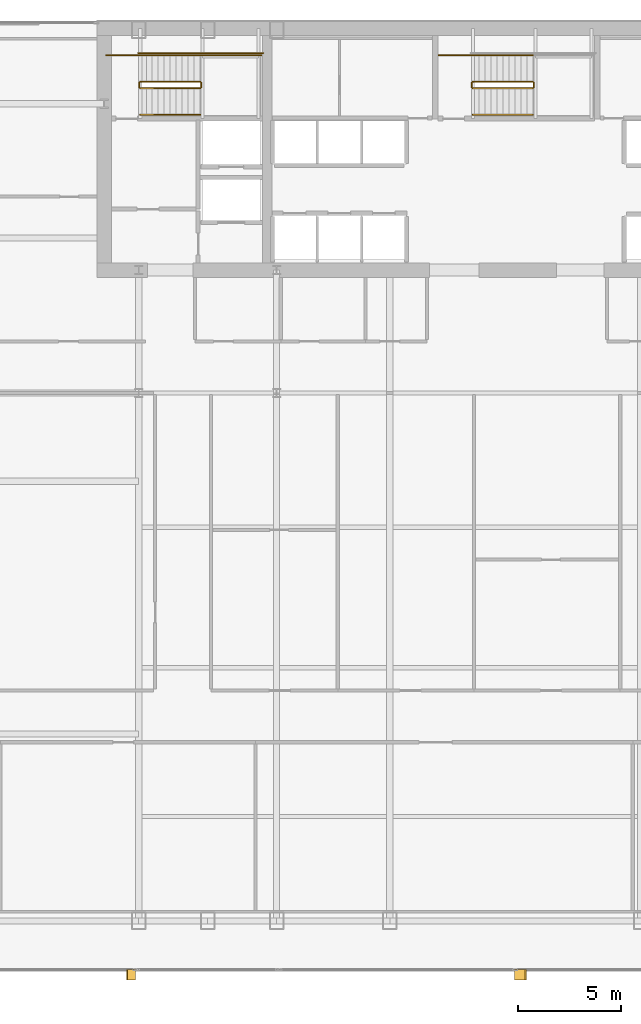
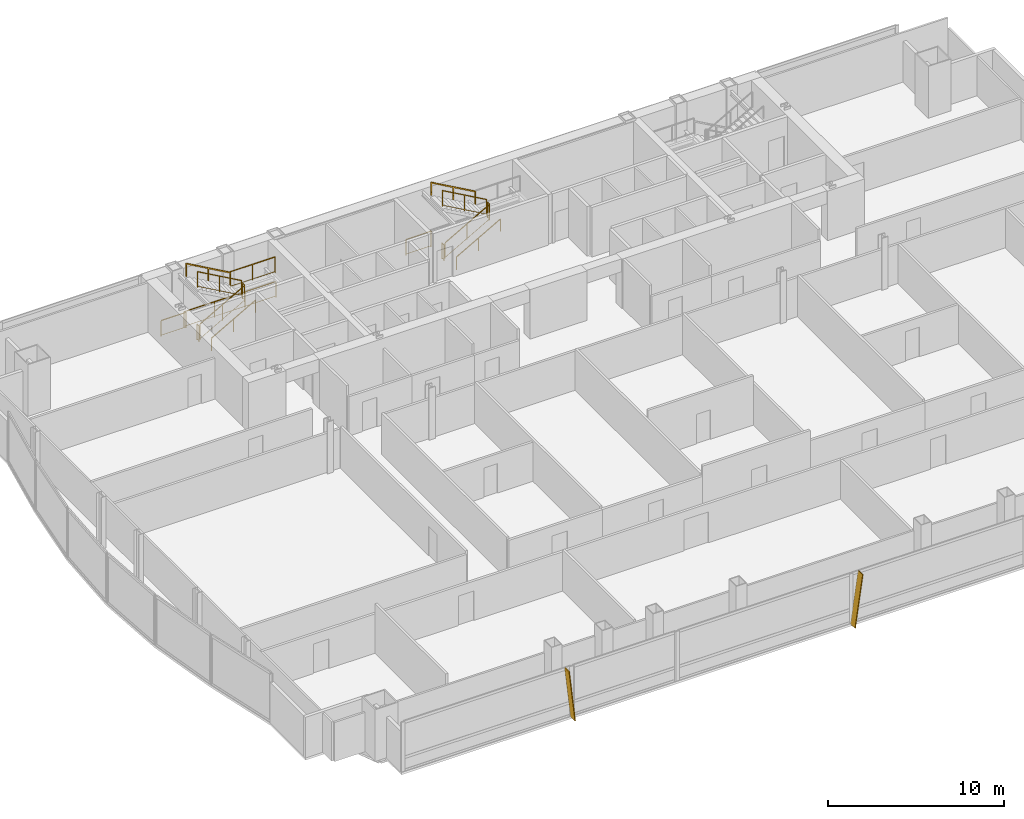
# One storey, part 30 of 32: 16 railings, 2 shading devices.
"""IFC4 building model written with IfcOpenShell, lengths in metres."""

from ifc_helpers import new_model, si_unit, direction, frame, origin, origin_2d, place, context, subcontext, project, spatial, polyline, rectangle, outline, extrude, material, layer, layer_set, type_object, element, save


model = new_model("IFC4")

# Units and contexts
model_context = context("Model", 3, precision=1e-05, world=origin(), true_north=direction((0.0, 1.0)))
body_context = subcontext(model_context, "Body", "Model", "MODEL_VIEW")
ifc_project = project(units=[si_unit("LENGTHUNIT", "METRE"), si_unit("AREAUNIT", "SQUARE_METRE"), si_unit("VOLUMEUNIT", "CUBIC_METRE"), si_unit("PLANEANGLEUNIT", "RADIAN"), si_unit("MASSUNIT", "GRAM", prefix="KILO")], contexts=[model_context])

# Site, building, storey
site_placement = place(None, origin())
site = spatial("IfcSite", under=ifc_project, at=site_placement, CompositionType="ELEMENT")
building_placement = place(site_placement, origin())
building = spatial("IfcBuilding", under=site, at=building_placement, Name="Khoronbel Lancet Exchange", CompositionType="ELEMENT")
storey_placement = place(building_placement, frame((0.0, 0.0, 111.0)))
storey = spatial("IfcBuildingStorey", under=building, at=storey_placement, Name="L26", CompositionType="ELEMENT", Elevation=111.0)

# Railings
ifc_material_1 = material(Name="Painted Steel Balustrade", Category="steel")
railing_type_1 = type_object("IfcRailingType", Name="RL-STG110", PredefinedType="GUARDRAIL", material=ifc_material_1)
railing_1_placement = place(storey_placement, frame((18.300048828125, 50.449951171875, 0.16357421875)))
element("IfcRailing", 1, at=railing_1_placement, inside=storey, type_object=railing_type_1, Name="L26 ST1 stair guard 1", PredefinedType="GUARDRAIL", context=body_context, shape_type="SweptSolid", body=[
    extrude(rectangle(XDim=0.048095703125, YDim=0.048095703125, at=origin_2d()), frame((0.0, 0.0, 1.09619140625), z_axis=(0.870897200241, 0.0, 0.491465224214), x_axis=(0.0, 1.0, 0.0)), (0.0, 0.0, 1.0), 3.329833984375),
    extrude(rectangle(XDim=0.02392578125, YDim=0.02392578125, at=origin_2d()), frame((0.0, 0.0, 0.080078125), z_axis=(0.870897200241, 0.0, 0.491465224214), x_axis=(0.0, 1.0, 0.0)), (0.0, 0.0, 1.0), 3.329833984375),
    extrude(rectangle(XDim=0.0419921875, YDim=0.0419921875, at=origin_2d()), origin(), (0.0, 0.0, 1.0), 1.072021484375),
    extrude(rectangle(XDim=0.0419921875, YDim=0.0419921875, at=origin_2d()), frame((1.449951171875, 0.0, 0.818359375)), (0.0, 0.0, 1.0), 1.072021484375),
    extrude(rectangle(XDim=0.0419921875, YDim=0.0419921875, at=origin_2d()), frame((2.89990234375, 0.0, 1.636474609375)), (0.0, 0.0, 1.0), 1.072021484375),
])
railing_2_placement = place(storey_placement, frame((21.25, 50.5, 1.800048828125)))
element("IfcRailing", 2, at=railing_2_placement, inside=storey, type_object=railing_type_1, Name="L26 ST1 stair guard 2", PredefinedType="GUARDRAIL", context=body_context, shape_type="SweptSolid", body=[
    extrude(rectangle(XDim=0.048095703125, YDim=0.048095703125, at=origin_2d()), frame((0.0, 0.0, 1.09619140625), z_axis=(0.0, 1.0, 0.0), x_axis=(-1.0, 0.0, 0.0)), (0.0, 0.0, 1.0), 0.219970703125),
    extrude(rectangle(XDim=0.02392578125, YDim=0.02392578125, at=origin_2d()), frame((0.0, 0.0, 0.080078125), z_axis=(0.0, 1.0, 0.0), x_axis=(-1.0, 0.0, 0.0)), (0.0, 0.0, 1.0), 0.219970703125),
    extrude(rectangle(XDim=0.0419921875, YDim=0.0419921875, at=origin_2d()), origin(), (0.0, 0.0, 1.0), 1.072021484375),
    extrude(rectangle(XDim=0.0419921875, YDim=0.0419921875, at=origin_2d()), frame((0.0, 0.219970703125, 0.0)), (0.0, 0.0, 1.0), 1.072021484375),
])
railing_3_placement = place(storey_placement, frame((21.199951171875, 52.050048828125, 1.800048828125)))
element("IfcRailing", 3, at=railing_3_placement, inside=storey, type_object=railing_type_1, Name="L26 ST1 stair guard 3", PredefinedType="GUARDRAIL", context=body_context, shape_type="SweptSolid", body=[
    extrude(rectangle(XDim=0.048095703125, YDim=0.048095703125, at=origin_2d()), frame((0.0, 0.0, 1.09619140625), z_axis=(1.0, 0.0, 0.0), x_axis=(0.0, 1.0, 0.0)), (0.0, 0.0, 1.0), 2.949951171875),
    extrude(rectangle(XDim=0.02392578125, YDim=0.02392578125, at=origin_2d()), frame((0.0, 0.0, 0.080078125), z_axis=(1.0, 0.0, 0.0), x_axis=(0.0, 1.0, 0.0)), (0.0, 0.0, 1.0), 2.949951171875),
    extrude(rectangle(XDim=0.0419921875, YDim=0.0419921875, at=origin_2d()), origin(), (0.0, 0.0, 1.0), 1.072021484375),
    extrude(rectangle(XDim=0.0419921875, YDim=0.0419921875, at=origin_2d()), frame((1.47509765625, 0.0, 0.0)), (0.0, 0.0, 1.0), 1.072021484375),
    extrude(rectangle(XDim=0.0419921875, YDim=0.0419921875, at=origin_2d()), frame((2.949951171875, 0.0, 0.0)), (0.0, 0.0, 1.0), 1.072021484375),
])
railing_4_placement = place(storey_placement, frame((21.199951171875, 50.77001953125, 1.963623046875)))
element("IfcRailing", 4, at=railing_4_placement, inside=storey, type_object=railing_type_1, Name="L26 ST1 stair guard 4", PredefinedType="GUARDRAIL", context=body_context, shape_type="SweptSolid", body=[
    extrude(rectangle(XDim=0.048095703125, YDim=0.048095703125, at=origin_2d()), frame((0.0, 0.0, 1.09619140625), z_axis=(-0.870897200241, 0.0, 0.491465224214), x_axis=(0.0, -1.0, 0.0)), (0.0, 0.0, 1.0), 3.329833984375),
    extrude(rectangle(XDim=0.02392578125, YDim=0.02392578125, at=origin_2d()), frame((0.0, 0.0, 0.080078125), z_axis=(-0.870897200241, 0.0, 0.491465224214), x_axis=(0.0, -1.0, 0.0)), (0.0, 0.0, 1.0), 3.329833984375),
    extrude(rectangle(XDim=0.0419921875, YDim=0.0419921875, at=origin_2d()), origin(), (0.0, 0.0, 1.0), 1.072021484375),
    extrude(rectangle(XDim=0.0419921875, YDim=0.0419921875, at=origin_2d()), frame((-1.449951171875, 0.0, 0.818359375)), (0.0, 0.0, 1.0), 1.072021484375),
    extrude(rectangle(XDim=0.0419921875, YDim=0.0419921875, at=origin_2d()), frame((-2.89990234375, 0.0, 1.636474609375)), (0.0, 0.0, 1.0), 1.072021484375),
])
railing_5_placement = place(storey_placement, frame((18.25, 50.5, 0.0)))
element("IfcRailing", 5, at=railing_5_placement, inside=storey, type_object=railing_type_1, Name="L26 ST1 stair guard 5", PredefinedType="GUARDRAIL", context=body_context, shape_type="SweptSolid", body=[
    extrude(rectangle(XDim=0.048095703125, YDim=0.048095703125, at=origin_2d()), frame((0.0, 0.0, 1.09619140625), z_axis=(0.0, 1.0, 0.0), x_axis=(-1.0, 0.0, 0.0)), (0.0, 0.0, 1.0), 0.219970703125),
    extrude(rectangle(XDim=0.02392578125, YDim=0.02392578125, at=origin_2d()), frame((0.0, 0.0, 0.080078125), z_axis=(0.0, 1.0, 0.0), x_axis=(-1.0, 0.0, 0.0)), (0.0, 0.0, 1.0), 0.219970703125),
    extrude(rectangle(XDim=0.0419921875, YDim=0.0419921875, at=origin_2d()), origin(), (0.0, 0.0, 1.0), 1.072021484375),
    extrude(rectangle(XDim=0.0419921875, YDim=0.0419921875, at=origin_2d()), frame((0.0, 0.219970703125, 0.0)), (0.0, 0.0, 1.0), 1.072021484375),
])
railing_6_placement = place(storey_placement, frame((16.64990234375, 52.050048828125, 0.0)))
element("IfcRailing", 6, at=railing_6_placement, inside=storey, type_object=railing_type_1, Name="L26 ST1 stair guard 6", PredefinedType="GUARDRAIL", context=body_context, shape_type="SweptSolid", body=[
    extrude(rectangle(XDim=0.048095703125, YDim=0.048095703125, at=origin_2d()), frame((0.0, 0.0, 1.09619140625), z_axis=(1.0, 0.0, 0.0), x_axis=(0.0, 1.0, 0.0)), (0.0, 0.0, 1.0), 1.650146484375),
    extrude(rectangle(XDim=0.02392578125, YDim=0.02392578125, at=origin_2d()), frame((0.0, 0.0, 0.080078125), z_axis=(1.0, 0.0, 0.0), x_axis=(0.0, 1.0, 0.0)), (0.0, 0.0, 1.0), 1.650146484375),
    extrude(rectangle(XDim=0.0419921875, YDim=0.0419921875, at=origin_2d()), origin(), (0.0, 0.0, 1.0), 1.072021484375),
    extrude(rectangle(XDim=0.0419921875, YDim=0.0419921875, at=origin_2d()), frame((1.650146484375, 0.0, 0.0)), (0.0, 0.0, 1.0), 1.072021484375),
])
railing_7_placement = place(storey_placement, frame((18.199951171875, 52.14990234375, 0.0)))
element("IfcRailing", 7, at=railing_7_placement, inside=storey, type_object=railing_type_1, Name="L26 ST1 stair guard 7", PredefinedType="GUARDRAIL", context=body_context, shape_type="SweptSolid", body=[
    extrude(rectangle(XDim=0.048095703125, YDim=0.048095703125, at=origin_2d()), frame((0.0, 0.0, 1.09619140625), z_axis=(1.0, 0.0, 0.0), x_axis=(0.0, 1.0, 0.0)), (0.0, 0.0, 1.0), 6.050048828125),
    extrude(rectangle(XDim=0.02392578125, YDim=0.02392578125, at=origin_2d()), frame((0.0, 0.0, 0.080078125), z_axis=(1.0, 0.0, 0.0), x_axis=(0.0, 1.0, 0.0)), (0.0, 0.0, 1.0), 6.050048828125),
    extrude(rectangle(XDim=0.0419921875, YDim=0.0419921875, at=origin_2d()), origin(), (0.0, 0.0, 1.0), 1.072021484375),
    extrude(rectangle(XDim=0.0419921875, YDim=0.0419921875, at=origin_2d()), frame((2.0166015625, 0.0, 0.0)), (0.0, 0.0, 1.0), 1.072021484375),
    extrude(rectangle(XDim=0.0419921875, YDim=0.0419921875, at=origin_2d()), frame((4.033447265625, 0.0, 0.0)), (0.0, 0.0, 1.0), 1.072021484375),
    extrude(rectangle(XDim=0.0419921875, YDim=0.0419921875, at=origin_2d()), frame((6.050048828125, 0.0, 0.0)), (0.0, 0.0, 1.0), 1.072021484375),
])
railing_8_placement = place(storey_placement, frame((34.39990234375, 50.449951171875, 0.16357421875)))
element("IfcRailing", 8, at=railing_8_placement, inside=storey, type_object=railing_type_1, Name="L26 ST3 stair guard 1", PredefinedType="GUARDRAIL", context=body_context, shape_type="SweptSolid", body=[
    extrude(rectangle(XDim=0.048095703125, YDim=0.048095703125, at=origin_2d()), frame((0.0, 0.0, 1.09619140625), z_axis=(0.870914908162, 0.0, 0.491433843708), x_axis=(0.0, 1.0, 0.0)), (0.0, 0.0, 1.0), 3.330078125),
    extrude(rectangle(XDim=0.02392578125, YDim=0.02392578125, at=origin_2d()), frame((0.0, 0.0, 0.080078125), z_axis=(0.870914908162, 0.0, 0.491433843708), x_axis=(0.0, 1.0, 0.0)), (0.0, 0.0, 1.0), 3.330078125),
    extrude(rectangle(XDim=0.0419921875, YDim=0.0419921875, at=origin_2d()), origin(), (0.0, 0.0, 1.0), 1.072021484375),
    extrude(rectangle(XDim=0.0419921875, YDim=0.0419921875, at=origin_2d()), frame((1.4501953125, 0.0, 0.818359375)), (0.0, 0.0, 1.0), 1.072021484375),
    extrude(rectangle(XDim=0.0419921875, YDim=0.0419921875, at=origin_2d()), frame((2.900146484375, 0.0, 1.636474609375)), (0.0, 0.0, 1.0), 1.072021484375),
])
railing_9_placement = place(storey_placement, frame((37.35009765625, 50.5, 1.800048828125)))
element("IfcRailing", 9, at=railing_9_placement, inside=storey, type_object=railing_type_1, Name="L26 ST3 stair guard 2", PredefinedType="GUARDRAIL", context=body_context, shape_type="SweptSolid", body=[
    extrude(rectangle(XDim=0.048095703125, YDim=0.048095703125, at=origin_2d()), frame((0.0, 0.0, 1.09619140625), z_axis=(0.0, 1.0, 0.0), x_axis=(-1.0, 0.0, 0.0)), (0.0, 0.0, 1.0), 0.219970703125),
    extrude(rectangle(XDim=0.02392578125, YDim=0.02392578125, at=origin_2d()), frame((0.0, 0.0, 0.080078125), z_axis=(0.0, 1.0, 0.0), x_axis=(-1.0, 0.0, 0.0)), (0.0, 0.0, 1.0), 0.219970703125),
    extrude(rectangle(XDim=0.0419921875, YDim=0.0419921875, at=origin_2d()), origin(), (0.0, 0.0, 1.0), 1.072021484375),
    extrude(rectangle(XDim=0.0419921875, YDim=0.0419921875, at=origin_2d()), frame((0.0, 0.219970703125, 0.0)), (0.0, 0.0, 1.0), 1.072021484375),
])
railing_10_placement = place(storey_placement, frame((37.300048828125, 50.77001953125, 1.963623046875)))
element("IfcRailing", 10, at=railing_10_placement, inside=storey, type_object=railing_type_1, Name="L26 ST3 stair guard 4", PredefinedType="GUARDRAIL", context=body_context, shape_type="SweptSolid", body=[
    extrude(rectangle(XDim=0.048095703125, YDim=0.048095703125, at=origin_2d()), frame((0.0, 0.0, 1.09619140625), z_axis=(-0.870914908162, 0.0, 0.491433843708), x_axis=(0.0, -1.0, 0.0)), (0.0, 0.0, 1.0), 3.330078125),
    extrude(rectangle(XDim=0.02392578125, YDim=0.02392578125, at=origin_2d()), frame((0.0, 0.0, 0.080078125), z_axis=(-0.870914908162, 0.0, 0.491433843708), x_axis=(0.0, -1.0, 0.0)), (0.0, 0.0, 1.0), 3.330078125),
    extrude(rectangle(XDim=0.0419921875, YDim=0.0419921875, at=origin_2d()), origin(), (0.0, 0.0, 1.0), 1.072021484375),
    extrude(rectangle(XDim=0.0419921875, YDim=0.0419921875, at=origin_2d()), frame((-1.4501953125, 0.0, 0.818359375)), (0.0, 0.0, 1.0), 1.072021484375),
    extrude(rectangle(XDim=0.0419921875, YDim=0.0419921875, at=origin_2d()), frame((-2.900146484375, 0.0, 1.636474609375)), (0.0, 0.0, 1.0), 1.072021484375),
])
railing_11_placement = place(storey_placement, frame((34.35009765625, 50.5, 0.0)))
element("IfcRailing", 11, at=railing_11_placement, inside=storey, type_object=railing_type_1, Name="L26 ST3 stair guard 5", PredefinedType="GUARDRAIL", context=body_context, shape_type="SweptSolid", body=[
    extrude(rectangle(XDim=0.048095703125, YDim=0.048095703125, at=origin_2d()), frame((0.0, 0.0, 1.09619140625), z_axis=(0.0, 1.0, 0.0), x_axis=(-1.0, 0.0, 0.0)), (0.0, 0.0, 1.0), 0.219970703125),
    extrude(rectangle(XDim=0.02392578125, YDim=0.02392578125, at=origin_2d()), frame((0.0, 0.0, 0.080078125), z_axis=(0.0, 1.0, 0.0), x_axis=(-1.0, 0.0, 0.0)), (0.0, 0.0, 1.0), 0.219970703125),
    extrude(rectangle(XDim=0.0419921875, YDim=0.0419921875, at=origin_2d()), origin(), (0.0, 0.0, 1.0), 1.072021484375),
    extrude(rectangle(XDim=0.0419921875, YDim=0.0419921875, at=origin_2d()), frame((0.0, 0.219970703125, 0.0)), (0.0, 0.0, 1.0), 1.072021484375),
])
railing_12_placement = place(storey_placement, frame((32.75, 52.050048828125, 0.0)))
element("IfcRailing", 12, at=railing_12_placement, inside=storey, type_object=railing_type_1, Name="L26 ST3 stair guard 6", PredefinedType="GUARDRAIL", context=body_context, shape_type="SweptSolid", body=[
    extrude(rectangle(XDim=0.048095703125, YDim=0.048095703125, at=origin_2d()), frame((0.0, 0.0, 1.09619140625), z_axis=(1.0, 0.0, 0.0), x_axis=(0.0, 1.0, 0.0)), (0.0, 0.0, 1.0), 1.64990234375),
    extrude(rectangle(XDim=0.02392578125, YDim=0.02392578125, at=origin_2d()), frame((0.0, 0.0, 0.080078125), z_axis=(1.0, 0.0, 0.0), x_axis=(0.0, 1.0, 0.0)), (0.0, 0.0, 1.0), 1.64990234375),
    extrude(rectangle(XDim=0.0419921875, YDim=0.0419921875, at=origin_2d()), origin(), (0.0, 0.0, 1.0), 1.072021484375),
    extrude(rectangle(XDim=0.0419921875, YDim=0.0419921875, at=origin_2d()), frame((1.64990234375, 0.0, 0.0)), (0.0, 0.0, 1.0), 1.072021484375),
])
ifc_material_2 = material(Name="Brushed Stainless Steel 316", Category="steel")
railing_type_2 = type_object("IfcRailingType", Name="RL-STH92", PredefinedType="HANDRAIL", material=ifc_material_2)
railing_13_placement = place(storey_placement, frame((18.300048828125, 49.169921875, 0.16357421875)))
element("IfcRailing", 13, at=railing_13_placement, inside=storey, type_object=railing_type_2, Name="L26 ST1 stair handrail 1", PredefinedType="HANDRAIL", context=body_context, shape_type="SweptSolid", body=[
    extrude(rectangle(XDim=0.048095703125, YDim=0.048095703125, at=origin_2d()), frame((0.0, 0.0, 0.8759765625), z_axis=(0.870897200241, 0.0, 0.491465224214), x_axis=(0.0, 1.0, 0.0)), (0.0, 0.0, 1.0), 3.329833984375),
    extrude(rectangle(XDim=0.0419921875, YDim=0.0419921875, at=origin_2d()), origin(), (0.0, 0.0, 1.0), 0.851806640625),
    extrude(rectangle(XDim=0.0419921875, YDim=0.0419921875, at=origin_2d()), frame((1.449951171875, 0.0, 0.818359375)), (0.0, 0.0, 1.0), 0.851806640625),
    extrude(rectangle(XDim=0.0419921875, YDim=0.0419921875, at=origin_2d()), frame((2.89990234375, 0.0, 1.636474609375)), (0.0, 0.0, 1.0), 0.851806640625),
])
railing_14_placement = place(storey_placement, frame((21.199951171875, 52.050048828125, 1.963623046875)))
element("IfcRailing", 14, at=railing_14_placement, inside=storey, type_object=railing_type_2, Name="L26 ST1 stair handrail 2", PredefinedType="HANDRAIL", context=body_context, shape_type="SweptSolid", body=[
    extrude(rectangle(XDim=0.048095703125, YDim=0.048095703125, at=origin_2d()), frame((0.0, 0.0, 0.8759765625), z_axis=(-0.870897200241, 0.0, 0.491465224214), x_axis=(0.0, -1.0, 0.0)), (0.0, 0.0, 1.0), 3.329833984375),
    extrude(rectangle(XDim=0.0419921875, YDim=0.0419921875, at=origin_2d()), origin(), (0.0, 0.0, 1.0), 0.851806640625),
    extrude(rectangle(XDim=0.0419921875, YDim=0.0419921875, at=origin_2d()), frame((-1.449951171875, 0.0, 0.818359375)), (0.0, 0.0, 1.0), 0.851806640625),
    extrude(rectangle(XDim=0.0419921875, YDim=0.0419921875, at=origin_2d()), frame((-2.89990234375, 0.0, 1.636474609375)), (0.0, 0.0, 1.0), 0.851806640625),
])
railing_15_placement = place(storey_placement, frame((34.39990234375, 49.169921875, 0.16357421875)))
element("IfcRailing", 15, at=railing_15_placement, inside=storey, type_object=railing_type_2, Name="L26 ST3 stair handrail 1", PredefinedType="HANDRAIL", context=body_context, shape_type="SweptSolid", body=[
    extrude(rectangle(XDim=0.048095703125, YDim=0.048095703125, at=origin_2d()), frame((0.0, 0.0, 0.8759765625), z_axis=(0.870914908162, 0.0, 0.491433843708), x_axis=(0.0, 1.0, 0.0)), (0.0, 0.0, 1.0), 3.330078125),
    extrude(rectangle(XDim=0.0419921875, YDim=0.0419921875, at=origin_2d()), origin(), (0.0, 0.0, 1.0), 0.851806640625),
    extrude(rectangle(XDim=0.0419921875, YDim=0.0419921875, at=origin_2d()), frame((1.4501953125, 0.0, 0.818359375)), (0.0, 0.0, 1.0), 0.851806640625),
    extrude(rectangle(XDim=0.0419921875, YDim=0.0419921875, at=origin_2d()), frame((2.900146484375, 0.0, 1.636474609375)), (0.0, 0.0, 1.0), 0.851806640625),
])
railing_16_placement = place(storey_placement, frame((37.300048828125, 52.050048828125, 1.963623046875)))
element("IfcRailing", 16, at=railing_16_placement, inside=storey, type_object=railing_type_2, Name="L26 ST3 stair handrail 2", PredefinedType="HANDRAIL", context=body_context, shape_type="SweptSolid", body=[
    extrude(rectangle(XDim=0.048095703125, YDim=0.048095703125, at=origin_2d()), frame((0.0, 0.0, 0.8759765625), z_axis=(-0.870914908162, 0.0, 0.491433843708), x_axis=(0.0, -1.0, 0.0)), (0.0, 0.0, 1.0), 3.330078125),
    extrude(rectangle(XDim=0.0419921875, YDim=0.0419921875, at=origin_2d()), origin(), (0.0, 0.0, 1.0), 0.851806640625),
    extrude(rectangle(XDim=0.0419921875, YDim=0.0419921875, at=origin_2d()), frame((-1.4501953125, 0.0, 0.818359375)), (0.0, 0.0, 1.0), 0.851806640625),
    extrude(rectangle(XDim=0.0419921875, YDim=0.0419921875, at=origin_2d()), frame((-2.900146484375, 0.0, 1.636474609375)), (0.0, 0.0, 1.0), 0.851806640625),
])

# Shading devices
ifc_material_3 = material(Name="Bronze-Anodised Aluminium 6063-T6", Category="aluminium")
ifc_layer = layer(ifc_material_3, 0.054931640625, Name="Bronze-Anodised Aluminium 6063-T6")
ifc_layer_set = layer_set([ifc_layer], Name="Bronze-Anodised Aluminium 6063-T6")
shading_device_type = type_object("IfcShadingDeviceType", Name="SHD-FIN1", PredefinedType="USERDEFINED", material=ifc_layer_set)
shading_device_1_placement = place(storey_placement, frame((18.072509765625, 7.81005859375, -0.080078125), z_axis=(0.993900347655, 0.0, 0.110281906632), x_axis=(0.0, -1.0, 0.0)))
element("IfcShadingDevice", 17, at=shading_device_1_placement, inside=storey, type_object=shading_device_type, Name="Slanted bronze solar fin CW-L26-SWV-1", ObjectType="FIN", PredefinedType="USERDEFINED", context=body_context, shape_type="SweptSolid", body=[
    extrude(outline(polyline([(0.0, 0.0), (0.52001953125, 0.0), (0.52001953125, -3.581787109375), (0.0, -3.581787109375), (0.0, 0.0)])), origin(), (0.0, 0.0, -1.0), 0.054931640625),
])
shading_device_2_placement = place(storey_placement, frame((36.422607421875, 7.81005859375, -0.080078125), z_axis=(-0.990092925251, 0.0, 0.140413672296), x_axis=(0.0, -1.0, 0.0)))
element("IfcShadingDevice", 18, at=shading_device_2_placement, inside=storey, type_object=shading_device_type, Name="Slanted bronze solar fin CW-L26-SCV-1", ObjectType="FIN", PredefinedType="USERDEFINED", context=body_context, shape_type="SweptSolid", body=[
    extrude(outline(polyline([(0.0, 0.0), (0.52001953125, 0.0), (0.52001953125, 3.595703125), (0.0, 3.595703125), (0.0, 0.0)])), origin(), (0.0, 0.0, -1.0), 0.054931640625),
])

save(model, "model.ifc")
